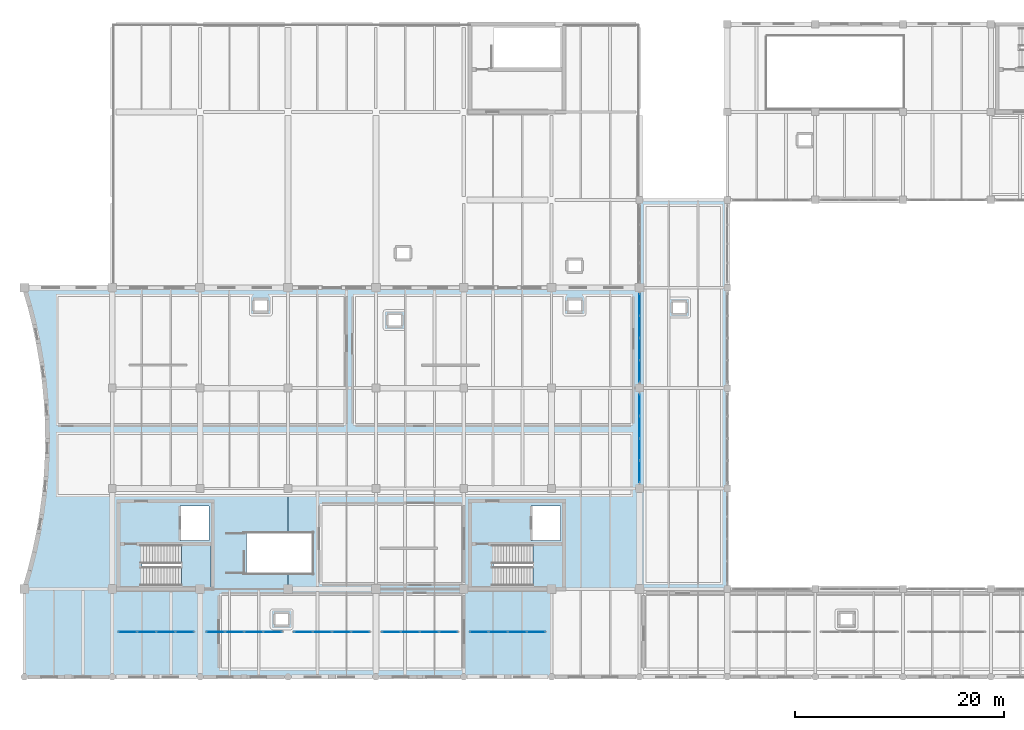
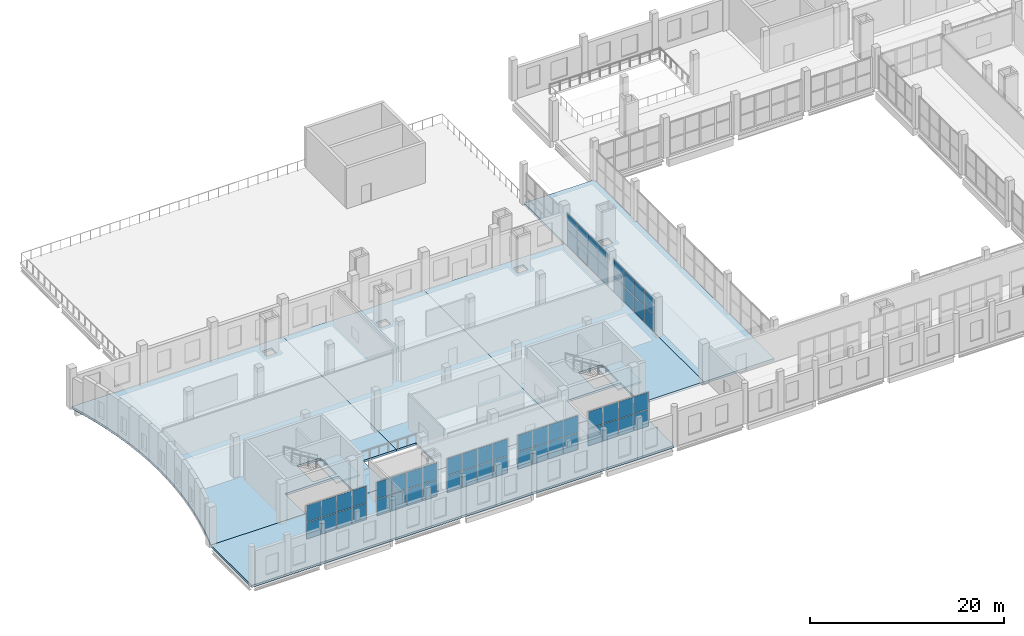
# One storey, part 48 of 73: 56 plates, 7 slabs, 9 elements without a shape of their own.
"""IFC4 building model written with IfcOpenShell, lengths in metres."""

from ifc_helpers import new_model, si_unit, direction, frame, origin, origin_2d, place, context, subcontext, project, spatial, polyline, rectangle, outline, extrude, material, layer, layer_set, type_object, element, aggregate, save


model = new_model("IFC4")

# Units and contexts
model_context = context("Model", 3, precision=1e-05, world=origin(), true_north=direction((0.0, 1.0)))
body_context = subcontext(model_context, "Body", "Model", "MODEL_VIEW")
ifc_project = project(units=[si_unit("LENGTHUNIT", "METRE"), si_unit("AREAUNIT", "SQUARE_METRE"), si_unit("VOLUMEUNIT", "CUBIC_METRE"), si_unit("PLANEANGLEUNIT", "RADIAN"), si_unit("MASSUNIT", "GRAM", prefix="KILO")], contexts=[model_context])

# Site, building, storey
site_placement = place(None, origin())
site = spatial("IfcSite", under=ifc_project, at=site_placement, CompositionType="ELEMENT")
building_placement = place(site_placement, origin())
building = spatial("IfcBuilding", under=site, at=building_placement, Name="Zulmaris Art Gallery", CompositionType="ELEMENT")
storey_placement = place(building_placement, frame((0.0, 0.0, 10.5)))
storey = spatial("IfcBuildingStorey", under=building, at=storey_placement, Name="L02", CompositionType="ELEMENT", Elevation=10.5)

# Curtain wall, plates
ifc_material_1 = material(Name="Cloister & Court Glazed Curtain Wall", Category="aluminium")
ifc_layer_1 = layer(ifc_material_1, 0.179931640625)
ifc_layer_set_1 = layer_set([ifc_layer_1], Name="Cloister & Court Glazed Curtain Wall")
curtain_wall_type = type_object("IfcCurtainWallType", Name="CW-CW03", PredefinedType="NOTDEFINED", material=ifc_layer_set_1)
curtain_wall_1_placement = place(storey_placement, origin())
curtain_wall_1 = element("IfcCurtainWall", 1, at=curtain_wall_1_placement, inside=storey, type_object=curtain_wall_type, Name="L02 curtain wall 57", PredefinedType="NOTDEFINED")
ifc_material_2 = material(Name="Triple Solar-Control Laminated Glass", Category="glass")
ifc_layer_2 = layer(ifc_material_2, 0.035888671875)
ifc_layer_set_2 = layer_set([ifc_layer_2], Name="Triple Solar-Control Laminated Glass")
plate_type = type_object("IfcPlateType", Name="CWPAN-GLZ", PredefinedType="CURTAIN_PANEL", material=ifc_layer_set_2)
plate_1_placement = place(storey_placement, frame((33.873779296875, 17.5, 0.0751953125), z_axis=(0.0, 0.0, 1.0), x_axis=(1.0, 0.0, 0.0)))
plate_1 = element("IfcPlate", 2, at=plate_1_placement, type_object=plate_type, Name="CW03 panel 1.1", PredefinedType="CURTAIN_PANEL", context=body_context, shape_type="SweptSolid", body=[
    extrude(rectangle(XDim=1.717529296875, YDim=0.031982421875, at=origin_2d()), origin(), (0.0, 0.0, 1.0), 2.072509765625),
])
plate_2_placement = place(storey_placement, frame((33.873779296875, 17.5, 2.22265625), z_axis=(0.0, 0.0, 1.0), x_axis=(1.0, 0.0, 0.0)))
plate_2 = element("IfcPlate", 3, at=plate_2_placement, type_object=plate_type, Name="CW03 panel 1.2", PredefinedType="CURTAIN_PANEL", context=body_context, shape_type="SweptSolid", body=[
    extrude(rectangle(XDim=1.717529296875, YDim=0.031982421875, at=origin_2d()), origin(), (0.0, 0.0, 1.0), 2.072509765625),
])
plate_3_placement = place(storey_placement, frame((35.68505859375, 17.5, 0.0751953125), z_axis=(0.0, 0.0, 1.0), x_axis=(1.0, 0.0, 0.0)))
plate_3 = element("IfcPlate", 4, at=plate_3_placement, type_object=plate_type, Name="CW03 panel 2.1", PredefinedType="CURTAIN_PANEL", context=body_context, shape_type="SweptSolid", body=[
    extrude(rectangle(XDim=1.7548828125, YDim=0.031982421875, at=origin_2d()), origin(), (0.0, 0.0, 1.0), 2.072509765625),
])
plate_4_placement = place(storey_placement, frame((35.68505859375, 17.5, 2.22265625), z_axis=(0.0, 0.0, 1.0), x_axis=(1.0, 0.0, 0.0)))
plate_4 = element("IfcPlate", 5, at=plate_4_placement, type_object=plate_type, Name="CW03 panel 2.2", PredefinedType="CURTAIN_PANEL", context=body_context, shape_type="SweptSolid", body=[
    extrude(rectangle(XDim=1.7548828125, YDim=0.031982421875, at=origin_2d()), origin(), (0.0, 0.0, 1.0), 2.072509765625),
])
plate_5_placement = place(storey_placement, frame((37.514892578125, 17.5, 0.0751953125), z_axis=(0.0, 0.0, 1.0), x_axis=(1.0, 0.0, 0.0)))
plate_5 = element("IfcPlate", 6, at=plate_5_placement, type_object=plate_type, Name="CW03 panel 3.1", PredefinedType="CURTAIN_PANEL", context=body_context, shape_type="SweptSolid", body=[
    extrude(rectangle(XDim=1.7548828125, YDim=0.031982421875, at=origin_2d()), origin(), (0.0, 0.0, 1.0), 2.072509765625),
])
plate_6_placement = place(storey_placement, frame((37.514892578125, 17.5, 2.22265625), z_axis=(0.0, 0.0, 1.0), x_axis=(1.0, 0.0, 0.0)))
plate_6 = element("IfcPlate", 7, at=plate_6_placement, type_object=plate_type, Name="CW03 panel 3.2", PredefinedType="CURTAIN_PANEL", context=body_context, shape_type="SweptSolid", body=[
    extrude(rectangle(XDim=1.7548828125, YDim=0.031982421875, at=origin_2d()), origin(), (0.0, 0.0, 1.0), 2.072509765625),
])
plate_7_placement = place(storey_placement, frame((39.326171875, 17.5, 0.0751953125), z_axis=(0.0, 0.0, 1.0), x_axis=(1.0, 0.0, 0.0)))
plate_7 = element("IfcPlate", 8, at=plate_7_placement, type_object=plate_type, Name="CW03 panel 4.1", PredefinedType="CURTAIN_PANEL", context=body_context, shape_type="SweptSolid", body=[
    extrude(rectangle(XDim=1.717529296875, YDim=0.031982421875, at=origin_2d()), origin(), (0.0, 0.0, 1.0), 2.072509765625),
])
plate_8_placement = place(storey_placement, frame((39.326171875, 17.5, 2.22265625), z_axis=(0.0, 0.0, 1.0), x_axis=(1.0, 0.0, 0.0)))
plate_8 = element("IfcPlate", 9, at=plate_8_placement, type_object=plate_type, Name="CW03 panel 4.2", PredefinedType="CURTAIN_PANEL", context=body_context, shape_type="SweptSolid", body=[
    extrude(rectangle(XDim=1.717529296875, YDim=0.031982421875, at=origin_2d()), origin(), (0.0, 0.0, 1.0), 2.072509765625),
])
aggregate(curtain_wall_1, [plate_1, plate_2, plate_3, plate_4, plate_5, plate_6, plate_7, plate_8])

curtain_wall_2_placement = place(storey_placement, origin())
curtain_wall_2 = element("IfcCurtainWall", 10, at=curtain_wall_2_placement, inside=storey, type_object=curtain_wall_type, Name="L02 curtain wall 58", PredefinedType="NOTDEFINED")
plate_9_placement = place(storey_placement, frame((42.273681640625, 17.5, 0.0751953125), z_axis=(0.0, 0.0, 1.0), x_axis=(1.0, 0.0, 0.0)))
plate_9 = element("IfcPlate", 11, at=plate_9_placement, type_object=plate_type, Name="CW03 panel 1.1", PredefinedType="CURTAIN_PANEL", context=body_context, shape_type="SweptSolid", body=[
    extrude(rectangle(XDim=1.717529296875, YDim=0.031982421875, at=origin_2d()), origin(), (0.0, 0.0, 1.0), 2.072509765625),
])
plate_10_placement = place(storey_placement, frame((42.273681640625, 17.5, 2.22265625), z_axis=(0.0, 0.0, 1.0), x_axis=(1.0, 0.0, 0.0)))
plate_10 = element("IfcPlate", 12, at=plate_10_placement, type_object=plate_type, Name="CW03 panel 1.2", PredefinedType="CURTAIN_PANEL", context=body_context, shape_type="SweptSolid", body=[
    extrude(rectangle(XDim=1.717529296875, YDim=0.031982421875, at=origin_2d()), origin(), (0.0, 0.0, 1.0), 2.072509765625),
])
plate_11_placement = place(storey_placement, frame((44.0849609375, 17.5, 0.0751953125), z_axis=(0.0, 0.0, 1.0), x_axis=(1.0, 0.0, 0.0)))
plate_11 = element("IfcPlate", 13, at=plate_11_placement, type_object=plate_type, Name="CW03 panel 2.1", PredefinedType="CURTAIN_PANEL", context=body_context, shape_type="SweptSolid", body=[
    extrude(rectangle(XDim=1.7548828125, YDim=0.031982421875, at=origin_2d()), origin(), (0.0, 0.0, 1.0), 2.072509765625),
])
plate_12_placement = place(storey_placement, frame((44.0849609375, 17.5, 2.22265625), z_axis=(0.0, 0.0, 1.0), x_axis=(1.0, 0.0, 0.0)))
plate_12 = element("IfcPlate", 14, at=plate_12_placement, type_object=plate_type, Name="CW03 panel 2.2", PredefinedType="CURTAIN_PANEL", context=body_context, shape_type="SweptSolid", body=[
    extrude(rectangle(XDim=1.7548828125, YDim=0.031982421875, at=origin_2d()), origin(), (0.0, 0.0, 1.0), 2.072509765625),
])
plate_13_placement = place(storey_placement, frame((45.9150390625, 17.5, 0.0751953125), z_axis=(0.0, 0.0, 1.0), x_axis=(1.0, 0.0, 0.0)))
plate_13 = element("IfcPlate", 15, at=plate_13_placement, type_object=plate_type, Name="CW03 panel 3.1", PredefinedType="CURTAIN_PANEL", context=body_context, shape_type="SweptSolid", body=[
    extrude(rectangle(XDim=1.7548828125, YDim=0.031982421875, at=origin_2d()), origin(), (0.0, 0.0, 1.0), 2.072509765625),
])
plate_14_placement = place(storey_placement, frame((45.9150390625, 17.5, 2.22265625), z_axis=(0.0, 0.0, 1.0), x_axis=(1.0, 0.0, 0.0)))
plate_14 = element("IfcPlate", 16, at=plate_14_placement, type_object=plate_type, Name="CW03 panel 3.2", PredefinedType="CURTAIN_PANEL", context=body_context, shape_type="SweptSolid", body=[
    extrude(rectangle(XDim=1.7548828125, YDim=0.031982421875, at=origin_2d()), origin(), (0.0, 0.0, 1.0), 2.072509765625),
])
plate_15_placement = place(storey_placement, frame((47.726318359375, 17.5, 0.0751953125), z_axis=(0.0, 0.0, 1.0), x_axis=(1.0, 0.0, 0.0)))
plate_15 = element("IfcPlate", 17, at=plate_15_placement, type_object=plate_type, Name="CW03 panel 4.1", PredefinedType="CURTAIN_PANEL", context=body_context, shape_type="SweptSolid", body=[
    extrude(rectangle(XDim=1.717529296875, YDim=0.031982421875, at=origin_2d()), origin(), (0.0, 0.0, 1.0), 2.072509765625),
])
plate_16_placement = place(storey_placement, frame((47.726318359375, 17.5, 2.22265625), z_axis=(0.0, 0.0, 1.0), x_axis=(1.0, 0.0, 0.0)))
plate_16 = element("IfcPlate", 18, at=plate_16_placement, type_object=plate_type, Name="CW03 panel 4.2", PredefinedType="CURTAIN_PANEL", context=body_context, shape_type="SweptSolid", body=[
    extrude(rectangle(XDim=1.717529296875, YDim=0.031982421875, at=origin_2d()), origin(), (0.0, 0.0, 1.0), 2.072509765625),
])
aggregate(curtain_wall_2, [plate_9, plate_10, plate_11, plate_12, plate_13, plate_14, plate_15, plate_16])

curtain_wall_3_placement = place(storey_placement, origin())
curtain_wall_3 = element("IfcCurtainWall", 19, at=curtain_wall_3_placement, inside=storey, type_object=curtain_wall_type, Name="L02 curtain wall 59", PredefinedType="NOTDEFINED")
plate_17_placement = place(storey_placement, frame((50.673828125, 17.5, 0.074951171875), z_axis=(0.0, 0.0, 1.0), x_axis=(1.0, 0.0, 0.0)))
plate_17 = element("IfcPlate", 20, at=plate_17_placement, type_object=plate_type, Name="CW03 panel 1.1", PredefinedType="CURTAIN_PANEL", context=body_context, shape_type="SweptSolid", body=[
    extrude(rectangle(XDim=1.717529296875, YDim=0.031982421875, at=origin_2d()), origin(), (0.0, 0.0, 1.0), 2.1025390625),
])
plate_18_placement = place(storey_placement, frame((50.673828125, 17.5, 2.25244140625), z_axis=(0.0, 0.0, 1.0), x_axis=(1.0, 0.0, 0.0)))
plate_18 = element("IfcPlate", 21, at=plate_18_placement, type_object=plate_type, Name="CW03 panel 1.2", PredefinedType="CURTAIN_PANEL", context=body_context, shape_type="SweptSolid", body=[
    extrude(rectangle(XDim=1.717529296875, YDim=0.031982421875, at=origin_2d()), origin(), (0.0, 0.0, 1.0), 2.1025390625),
])
plate_19_placement = place(storey_placement, frame((52.485107421875, 17.5, 0.074951171875), z_axis=(0.0, 0.0, 1.0), x_axis=(1.0, 0.0, 0.0)))
plate_19 = element("IfcPlate", 22, at=plate_19_placement, type_object=plate_type, Name="CW03 panel 2.1", PredefinedType="CURTAIN_PANEL", context=body_context, shape_type="SweptSolid", body=[
    extrude(rectangle(XDim=1.7548828125, YDim=0.031982421875, at=origin_2d()), origin(), (0.0, 0.0, 1.0), 2.1025390625),
])
plate_20_placement = place(storey_placement, frame((52.485107421875, 17.5, 2.25244140625), z_axis=(0.0, 0.0, 1.0), x_axis=(1.0, 0.0, 0.0)))
plate_20 = element("IfcPlate", 23, at=plate_20_placement, type_object=plate_type, Name="CW03 panel 2.2", PredefinedType="CURTAIN_PANEL", context=body_context, shape_type="SweptSolid", body=[
    extrude(rectangle(XDim=1.7548828125, YDim=0.031982421875, at=origin_2d()), origin(), (0.0, 0.0, 1.0), 2.1025390625),
])
plate_21_placement = place(storey_placement, frame((54.31494140625, 17.5, 0.074951171875), z_axis=(0.0, 0.0, 1.0), x_axis=(1.0, 0.0, 0.0)))
plate_21 = element("IfcPlate", 24, at=plate_21_placement, type_object=plate_type, Name="CW03 panel 3.1", PredefinedType="CURTAIN_PANEL", context=body_context, shape_type="SweptSolid", body=[
    extrude(rectangle(XDim=1.7548828125, YDim=0.031982421875, at=origin_2d()), origin(), (0.0, 0.0, 1.0), 2.1025390625),
])
plate_22_placement = place(storey_placement, frame((54.31494140625, 17.5, 2.25244140625), z_axis=(0.0, 0.0, 1.0), x_axis=(1.0, 0.0, 0.0)))
plate_22 = element("IfcPlate", 25, at=plate_22_placement, type_object=plate_type, Name="CW03 panel 3.2", PredefinedType="CURTAIN_PANEL", context=body_context, shape_type="SweptSolid", body=[
    extrude(rectangle(XDim=1.7548828125, YDim=0.031982421875, at=origin_2d()), origin(), (0.0, 0.0, 1.0), 2.1025390625),
])
plate_23_placement = place(storey_placement, frame((56.126220703125, 17.5, 0.074951171875), z_axis=(0.0, 0.0, 1.0), x_axis=(1.0, 0.0, 0.0)))
plate_23 = element("IfcPlate", 26, at=plate_23_placement, type_object=plate_type, Name="CW03 panel 4.1", PredefinedType="CURTAIN_PANEL", context=body_context, shape_type="SweptSolid", body=[
    extrude(rectangle(XDim=1.717529296875, YDim=0.031982421875, at=origin_2d()), origin(), (0.0, 0.0, 1.0), 2.1025390625),
])
plate_24_placement = place(storey_placement, frame((56.126220703125, 17.5, 2.25244140625), z_axis=(0.0, 0.0, 1.0), x_axis=(1.0, 0.0, 0.0)))
plate_24 = element("IfcPlate", 27, at=plate_24_placement, type_object=plate_type, Name="CW03 panel 4.2", PredefinedType="CURTAIN_PANEL", context=body_context, shape_type="SweptSolid", body=[
    extrude(rectangle(XDim=1.717529296875, YDim=0.031982421875, at=origin_2d()), origin(), (0.0, 0.0, 1.0), 2.1025390625),
])
aggregate(curtain_wall_3, [plate_17, plate_18, plate_19, plate_20, plate_21, plate_22, plate_23, plate_24])

curtain_wall_4_placement = place(storey_placement, origin())
curtain_wall_4 = element("IfcCurtainWall", 28, at=curtain_wall_4_placement, inside=storey, type_object=curtain_wall_type, Name="L02 curtain wall 60", PredefinedType="NOTDEFINED")
plate_25_placement = place(storey_placement, frame((59.07373046875, 17.5, 0.074951171875), z_axis=(0.0, 0.0, 1.0), x_axis=(1.0, 0.0, 0.0)))
plate_25 = element("IfcPlate", 29, at=plate_25_placement, type_object=plate_type, Name="CW03 panel 1.1", PredefinedType="CURTAIN_PANEL", context=body_context, shape_type="SweptSolid", body=[
    extrude(rectangle(XDim=1.717529296875, YDim=0.031982421875, at=origin_2d()), origin(), (0.0, 0.0, 1.0), 2.1025390625),
])
plate_26_placement = place(storey_placement, frame((59.07373046875, 17.5, 2.25244140625), z_axis=(0.0, 0.0, 1.0), x_axis=(1.0, 0.0, 0.0)))
plate_26 = element("IfcPlate", 30, at=plate_26_placement, type_object=plate_type, Name="CW03 panel 1.2", PredefinedType="CURTAIN_PANEL", context=body_context, shape_type="SweptSolid", body=[
    extrude(rectangle(XDim=1.717529296875, YDim=0.031982421875, at=origin_2d()), origin(), (0.0, 0.0, 1.0), 2.1025390625),
])
plate_27_placement = place(storey_placement, frame((60.885009765625, 17.5, 0.074951171875), z_axis=(0.0, 0.0, 1.0), x_axis=(1.0, 0.0, 0.0)))
plate_27 = element("IfcPlate", 31, at=plate_27_placement, type_object=plate_type, Name="CW03 panel 2.1", PredefinedType="CURTAIN_PANEL", context=body_context, shape_type="SweptSolid", body=[
    extrude(rectangle(XDim=1.7548828125, YDim=0.031982421875, at=origin_2d()), origin(), (0.0, 0.0, 1.0), 2.1025390625),
])
plate_28_placement = place(storey_placement, frame((60.885009765625, 17.5, 2.25244140625), z_axis=(0.0, 0.0, 1.0), x_axis=(1.0, 0.0, 0.0)))
plate_28 = element("IfcPlate", 32, at=plate_28_placement, type_object=plate_type, Name="CW03 panel 2.2", PredefinedType="CURTAIN_PANEL", context=body_context, shape_type="SweptSolid", body=[
    extrude(rectangle(XDim=1.7548828125, YDim=0.031982421875, at=origin_2d()), origin(), (0.0, 0.0, 1.0), 2.1025390625),
])
plate_29_placement = place(storey_placement, frame((62.715087890625, 17.5, 0.074951171875), z_axis=(0.0, 0.0, 1.0), x_axis=(1.0, 0.0, 0.0)))
plate_29 = element("IfcPlate", 33, at=plate_29_placement, type_object=plate_type, Name="CW03 panel 3.1", PredefinedType="CURTAIN_PANEL", context=body_context, shape_type="SweptSolid", body=[
    extrude(rectangle(XDim=1.7548828125, YDim=0.031982421875, at=origin_2d()), origin(), (0.0, 0.0, 1.0), 2.1025390625),
])
plate_30_placement = place(storey_placement, frame((62.715087890625, 17.5, 2.25244140625), z_axis=(0.0, 0.0, 1.0), x_axis=(1.0, 0.0, 0.0)))
plate_30 = element("IfcPlate", 34, at=plate_30_placement, type_object=plate_type, Name="CW03 panel 3.2", PredefinedType="CURTAIN_PANEL", context=body_context, shape_type="SweptSolid", body=[
    extrude(rectangle(XDim=1.7548828125, YDim=0.031982421875, at=origin_2d()), origin(), (0.0, 0.0, 1.0), 2.1025390625),
])
plate_31_placement = place(storey_placement, frame((64.5263671875, 17.5, 0.074951171875), z_axis=(0.0, 0.0, 1.0), x_axis=(1.0, 0.0, 0.0)))
plate_31 = element("IfcPlate", 35, at=plate_31_placement, type_object=plate_type, Name="CW03 panel 4.1", PredefinedType="CURTAIN_PANEL", context=body_context, shape_type="SweptSolid", body=[
    extrude(rectangle(XDim=1.717529296875, YDim=0.031982421875, at=origin_2d()), origin(), (0.0, 0.0, 1.0), 2.1025390625),
])
plate_32_placement = place(storey_placement, frame((64.5263671875, 17.5, 2.25244140625), z_axis=(0.0, 0.0, 1.0), x_axis=(1.0, 0.0, 0.0)))
plate_32 = element("IfcPlate", 36, at=plate_32_placement, type_object=plate_type, Name="CW03 panel 4.2", PredefinedType="CURTAIN_PANEL", context=body_context, shape_type="SweptSolid", body=[
    extrude(rectangle(XDim=1.717529296875, YDim=0.031982421875, at=origin_2d()), origin(), (0.0, 0.0, 1.0), 2.1025390625),
])
aggregate(curtain_wall_4, [plate_25, plate_26, plate_27, plate_28, plate_29, plate_30, plate_31, plate_32])

curtain_wall_5_placement = place(storey_placement, origin())
curtain_wall_5 = element("IfcCurtainWall", 37, at=curtain_wall_5_placement, inside=storey, type_object=curtain_wall_type, Name="L02 curtain wall 61", PredefinedType="NOTDEFINED")
plate_33_placement = place(storey_placement, frame((67.4736328125, 17.5, 0.074951171875), z_axis=(0.0, 0.0, 1.0), x_axis=(1.0, 0.0, 0.0)))
plate_33 = element("IfcPlate", 38, at=plate_33_placement, type_object=plate_type, Name="CW03 panel 1.1", PredefinedType="CURTAIN_PANEL", context=body_context, shape_type="SweptSolid", body=[
    extrude(rectangle(XDim=1.717529296875, YDim=0.031982421875, at=origin_2d()), origin(), (0.0, 0.0, 1.0), 2.1025390625),
])
plate_34_placement = place(storey_placement, frame((67.4736328125, 17.5, 2.25244140625), z_axis=(0.0, 0.0, 1.0), x_axis=(1.0, 0.0, 0.0)))
plate_34 = element("IfcPlate", 39, at=plate_34_placement, type_object=plate_type, Name="CW03 panel 1.2", PredefinedType="CURTAIN_PANEL", context=body_context, shape_type="SweptSolid", body=[
    extrude(rectangle(XDim=1.717529296875, YDim=0.031982421875, at=origin_2d()), origin(), (0.0, 0.0, 1.0), 2.1025390625),
])
plate_35_placement = place(storey_placement, frame((69.284912109375, 17.5, 0.074951171875), z_axis=(0.0, 0.0, 1.0), x_axis=(1.0, 0.0, 0.0)))
plate_35 = element("IfcPlate", 40, at=plate_35_placement, type_object=plate_type, Name="CW03 panel 2.1", PredefinedType="CURTAIN_PANEL", context=body_context, shape_type="SweptSolid", body=[
    extrude(rectangle(XDim=1.7548828125, YDim=0.031982421875, at=origin_2d()), origin(), (0.0, 0.0, 1.0), 2.1025390625),
])
plate_36_placement = place(storey_placement, frame((69.284912109375, 17.5, 2.25244140625), z_axis=(0.0, 0.0, 1.0), x_axis=(1.0, 0.0, 0.0)))
plate_36 = element("IfcPlate", 41, at=plate_36_placement, type_object=plate_type, Name="CW03 panel 2.2", PredefinedType="CURTAIN_PANEL", context=body_context, shape_type="SweptSolid", body=[
    extrude(rectangle(XDim=1.7548828125, YDim=0.031982421875, at=origin_2d()), origin(), (0.0, 0.0, 1.0), 2.1025390625),
])
plate_37_placement = place(storey_placement, frame((71.114990234375, 17.5, 0.074951171875), z_axis=(0.0, 0.0, 1.0), x_axis=(1.0, 0.0, 0.0)))
plate_37 = element("IfcPlate", 42, at=plate_37_placement, type_object=plate_type, Name="CW03 panel 3.1", PredefinedType="CURTAIN_PANEL", context=body_context, shape_type="SweptSolid", body=[
    extrude(rectangle(XDim=1.7548828125, YDim=0.031982421875, at=origin_2d()), origin(), (0.0, 0.0, 1.0), 2.1025390625),
])
plate_38_placement = place(storey_placement, frame((71.114990234375, 17.5, 2.25244140625), z_axis=(0.0, 0.0, 1.0), x_axis=(1.0, 0.0, 0.0)))
plate_38 = element("IfcPlate", 43, at=plate_38_placement, type_object=plate_type, Name="CW03 panel 3.2", PredefinedType="CURTAIN_PANEL", context=body_context, shape_type="SweptSolid", body=[
    extrude(rectangle(XDim=1.7548828125, YDim=0.031982421875, at=origin_2d()), origin(), (0.0, 0.0, 1.0), 2.1025390625),
])
plate_39_placement = place(storey_placement, frame((72.92626953125, 17.5, 0.074951171875), z_axis=(0.0, 0.0, 1.0), x_axis=(1.0, 0.0, 0.0)))
plate_39 = element("IfcPlate", 44, at=plate_39_placement, type_object=plate_type, Name="CW03 panel 4.1", PredefinedType="CURTAIN_PANEL", context=body_context, shape_type="SweptSolid", body=[
    extrude(rectangle(XDim=1.717529296875, YDim=0.031982421875, at=origin_2d()), origin(), (0.0, 0.0, 1.0), 2.1025390625),
])
plate_40_placement = place(storey_placement, frame((72.92626953125, 17.5, 2.25244140625), z_axis=(0.0, 0.0, 1.0), x_axis=(1.0, 0.0, 0.0)))
plate_40 = element("IfcPlate", 45, at=plate_40_placement, type_object=plate_type, Name="CW03 panel 4.2", PredefinedType="CURTAIN_PANEL", context=body_context, shape_type="SweptSolid", body=[
    extrude(rectangle(XDim=1.717529296875, YDim=0.031982421875, at=origin_2d()), origin(), (0.0, 0.0, 1.0), 2.1025390625),
])
aggregate(curtain_wall_5, [plate_33, plate_34, plate_35, plate_36, plate_37, plate_38, plate_39, plate_40])

curtain_wall_6_placement = place(storey_placement, origin())
curtain_wall_6 = element("IfcCurtainWall", 46, at=curtain_wall_6_placement, inside=storey, type_object=curtain_wall_type, Name="L02 curtain wall 79", PredefinedType="NOTDEFINED")
plate_41_placement = place(storey_placement, frame((82.800048828125, 32.82373046875, 0.074951171875), z_axis=(0.0, 0.0, 1.0), x_axis=(0.0, 1.0, 0.0)))
plate_41 = element("IfcPlate", 47, at=plate_41_placement, type_object=plate_type, Name="CW03 panel 1.1", PredefinedType="CURTAIN_PANEL", context=body_context, shape_type="SweptSolid", body=[
    extrude(rectangle(XDim=2.017578125, YDim=0.031982421875, at=origin_2d()), origin(), (0.0, 0.0, 1.0), 2.00244140625),
])
plate_42_placement = place(storey_placement, frame((82.800048828125, 32.82373046875, 2.152587890625), z_axis=(0.0, 0.0, 1.0), x_axis=(0.0, 1.0, 0.0)))
plate_42 = element("IfcPlate", 48, at=plate_42_placement, type_object=plate_type, Name="CW03 panel 1.2", PredefinedType="CURTAIN_PANEL", context=body_context, shape_type="SweptSolid", body=[
    extrude(rectangle(XDim=2.017578125, YDim=0.031982421875, at=origin_2d()), origin(), (0.0, 0.0, 1.0), 2.00244140625),
])
plate_43_placement = place(storey_placement, frame((82.800048828125, 34.93505859375, 0.074951171875), z_axis=(0.0, 0.0, 1.0), x_axis=(0.0, 1.0, 0.0)))
plate_43 = element("IfcPlate", 49, at=plate_43_placement, type_object=plate_type, Name="CW03 panel 2.1", PredefinedType="CURTAIN_PANEL", context=body_context, shape_type="SweptSolid", body=[
    extrude(rectangle(XDim=2.054931640625, YDim=0.031982421875, at=origin_2d()), origin(), (0.0, 0.0, 1.0), 2.00244140625),
])
plate_44_placement = place(storey_placement, frame((82.800048828125, 34.93505859375, 2.152587890625), z_axis=(0.0, 0.0, 1.0), x_axis=(0.0, 1.0, 0.0)))
plate_44 = element("IfcPlate", 50, at=plate_44_placement, type_object=plate_type, Name="CW03 panel 2.2", PredefinedType="CURTAIN_PANEL", context=body_context, shape_type="SweptSolid", body=[
    extrude(rectangle(XDim=2.054931640625, YDim=0.031982421875, at=origin_2d()), origin(), (0.0, 0.0, 1.0), 2.00244140625),
])
plate_45_placement = place(storey_placement, frame((82.800048828125, 37.06494140625, 0.074951171875), z_axis=(0.0, 0.0, 1.0), x_axis=(0.0, 1.0, 0.0)))
plate_45 = element("IfcPlate", 51, at=plate_45_placement, type_object=plate_type, Name="CW03 panel 3.1", PredefinedType="CURTAIN_PANEL", context=body_context, shape_type="SweptSolid", body=[
    extrude(rectangle(XDim=2.054931640625, YDim=0.031982421875, at=origin_2d()), origin(), (0.0, 0.0, 1.0), 2.00244140625),
])
plate_46_placement = place(storey_placement, frame((82.800048828125, 37.06494140625, 2.152587890625), z_axis=(0.0, 0.0, 1.0), x_axis=(0.0, 1.0, 0.0)))
plate_46 = element("IfcPlate", 52, at=plate_46_placement, type_object=plate_type, Name="CW03 panel 3.2", PredefinedType="CURTAIN_PANEL", context=body_context, shape_type="SweptSolid", body=[
    extrude(rectangle(XDim=2.054931640625, YDim=0.031982421875, at=origin_2d()), origin(), (0.0, 0.0, 1.0), 2.00244140625),
])
plate_47_placement = place(storey_placement, frame((82.800048828125, 39.17626953125, 0.074951171875), z_axis=(0.0, 0.0, 1.0), x_axis=(0.0, 1.0, 0.0)))
plate_47 = element("IfcPlate", 53, at=plate_47_placement, type_object=plate_type, Name="CW03 panel 4.1", PredefinedType="CURTAIN_PANEL", context=body_context, shape_type="SweptSolid", body=[
    extrude(rectangle(XDim=2.017578125, YDim=0.031982421875, at=origin_2d()), origin(), (0.0, 0.0, 1.0), 2.00244140625),
])
plate_48_placement = place(storey_placement, frame((82.800048828125, 39.17626953125, 2.152587890625), z_axis=(0.0, 0.0, 1.0), x_axis=(0.0, 1.0, 0.0)))
plate_48 = element("IfcPlate", 54, at=plate_48_placement, type_object=plate_type, Name="CW03 panel 4.2", PredefinedType="CURTAIN_PANEL", context=body_context, shape_type="SweptSolid", body=[
    extrude(rectangle(XDim=2.017578125, YDim=0.031982421875, at=origin_2d()), origin(), (0.0, 0.0, 1.0), 2.00244140625),
])
aggregate(curtain_wall_6, [plate_41, plate_42, plate_43, plate_44, plate_45, plate_46, plate_47, plate_48])

curtain_wall_7_placement = place(storey_placement, origin())
curtain_wall_7 = element("IfcCurtainWall", 55, at=curtain_wall_7_placement, inside=storey, type_object=curtain_wall_type, Name="L02 curtain wall 81", PredefinedType="NOTDEFINED")
plate_49_placement = place(storey_placement, frame((82.800048828125, 42.423828125, 0.0751953125), z_axis=(0.0, 0.0, 1.0), x_axis=(0.0, 1.0, 0.0)))
plate_49 = element("IfcPlate", 56, at=plate_49_placement, type_object=plate_type, Name="CW03 panel 1.1", PredefinedType="CURTAIN_PANEL", context=body_context, shape_type="SweptSolid", body=[
    extrude(rectangle(XDim=2.017578125, YDim=0.031982421875, at=origin_2d()), origin(), (0.0, 0.0, 1.0), 1.992431640625),
])
plate_50_placement = place(storey_placement, frame((82.800048828125, 42.423828125, 2.142578125), z_axis=(0.0, 0.0, 1.0), x_axis=(0.0, 1.0, 0.0)))
plate_50 = element("IfcPlate", 57, at=plate_50_placement, type_object=plate_type, Name="CW03 panel 1.2", PredefinedType="CURTAIN_PANEL", context=body_context, shape_type="SweptSolid", body=[
    extrude(rectangle(XDim=2.017578125, YDim=0.031982421875, at=origin_2d()), origin(), (0.0, 0.0, 1.0), 1.992431640625),
])
plate_51_placement = place(storey_placement, frame((82.800048828125, 44.534912109375, 0.0751953125), z_axis=(0.0, 0.0, 1.0), x_axis=(0.0, 1.0, 0.0)))
plate_51 = element("IfcPlate", 58, at=plate_51_placement, type_object=plate_type, Name="CW03 panel 2.1", PredefinedType="CURTAIN_PANEL", context=body_context, shape_type="SweptSolid", body=[
    extrude(rectangle(XDim=2.054931640625, YDim=0.031982421875, at=origin_2d()), origin(), (0.0, 0.0, 1.0), 1.992431640625),
])
plate_52_placement = place(storey_placement, frame((82.800048828125, 44.534912109375, 2.142578125), z_axis=(0.0, 0.0, 1.0), x_axis=(0.0, 1.0, 0.0)))
plate_52 = element("IfcPlate", 59, at=plate_52_placement, type_object=plate_type, Name="CW03 panel 2.2", PredefinedType="CURTAIN_PANEL", context=body_context, shape_type="SweptSolid", body=[
    extrude(rectangle(XDim=2.054931640625, YDim=0.031982421875, at=origin_2d()), origin(), (0.0, 0.0, 1.0), 1.992431640625),
])
plate_53_placement = place(storey_placement, frame((82.800048828125, 46.6650390625, 0.0751953125), z_axis=(0.0, 0.0, 1.0), x_axis=(0.0, 1.0, 0.0)))
plate_53 = element("IfcPlate", 60, at=plate_53_placement, type_object=plate_type, Name="CW03 panel 3.1", PredefinedType="CURTAIN_PANEL", context=body_context, shape_type="SweptSolid", body=[
    extrude(rectangle(XDim=2.054931640625, YDim=0.031982421875, at=origin_2d()), origin(), (0.0, 0.0, 1.0), 1.992431640625),
])
plate_54_placement = place(storey_placement, frame((82.800048828125, 46.6650390625, 2.142578125), z_axis=(0.0, 0.0, 1.0), x_axis=(0.0, 1.0, 0.0)))
plate_54 = element("IfcPlate", 61, at=plate_54_placement, type_object=plate_type, Name="CW03 panel 3.2", PredefinedType="CURTAIN_PANEL", context=body_context, shape_type="SweptSolid", body=[
    extrude(rectangle(XDim=2.054931640625, YDim=0.031982421875, at=origin_2d()), origin(), (0.0, 0.0, 1.0), 1.992431640625),
])
plate_55_placement = place(storey_placement, frame((82.800048828125, 48.7763671875, 0.0751953125), z_axis=(0.0, 0.0, 1.0), x_axis=(0.0, 1.0, 0.0)))
plate_55 = element("IfcPlate", 62, at=plate_55_placement, type_object=plate_type, Name="CW03 panel 4.1", PredefinedType="CURTAIN_PANEL", context=body_context, shape_type="SweptSolid", body=[
    extrude(rectangle(XDim=2.017578125, YDim=0.031982421875, at=origin_2d()), origin(), (0.0, 0.0, 1.0), 1.992431640625),
])
plate_56_placement = place(storey_placement, frame((82.800048828125, 48.7763671875, 2.142578125), z_axis=(0.0, 0.0, 1.0), x_axis=(0.0, 1.0, 0.0)))
plate_56 = element("IfcPlate", 63, at=plate_56_placement, type_object=plate_type, Name="CW03 panel 4.2", PredefinedType="CURTAIN_PANEL", context=body_context, shape_type="SweptSolid", body=[
    extrude(rectangle(XDim=2.017578125, YDim=0.031982421875, at=origin_2d()), origin(), (0.0, 0.0, 1.0), 1.992431640625),
])
aggregate(curtain_wall_7, [plate_49, plate_50, plate_51, plate_52, plate_53, plate_54, plate_55, plate_56])

# Slabs
ifc_material_3 = material(Name="Concrete C40/50", Category="concrete")
ifc_layer_3 = layer(ifc_material_3, 0.27001953125)
ifc_layer_set_3 = layer_set([ifc_layer_3], Name="Concrete C40/50")
slab_type_1 = type_object("IfcSlabType", Name="SLAB-SL-FL06", PredefinedType="FLOOR", material=ifc_layer_set_3)
slab_1_placement = place(storey_placement, frame((0.0, 0.0, -0.27001953125)))
element("IfcSlab", 64, at=slab_1_placement, inside=storey, type_object=slab_type_1, Name="L02 V1-W slab", PredefinedType="FLOOR", context=body_context, shape_type="SweptSolid", body=[
    extrude(outline(polyline([(24.51513671875, 23.35400390625), (24.963134765625, 25.126220703125), (25.34326171875, 26.914306640625), (25.655029296875, 28.715576171875), (25.89794921875, 30.527587890625), (26.07177734375, 32.34716796875), (26.176025390625, 34.17236328125), (26.2109375, 36.0), (26.176025390625, 37.82763671875), (26.07177734375, 39.65283203125), (25.89794921875, 41.472412109375), (25.655029296875, 43.284423828125), (25.34326171875, 45.085693359375), (24.963134765625, 46.873779296875), (24.51513671875, 48.64599609375), (24.0, 50.39990234375), (49.199951171875, 50.39990234375), (49.199951171875, 26.93994140625), (45.2099609375, 26.93994140625), (45.2099609375, 23.10009765625), (49.199951171875, 23.10009765625), (49.199951171875, 21.60009765625), (24.0, 21.60009765625), (24.51513671875, 23.35400390625)]), holes=[polyline([(35.260009765625, 21.949951171875), (41.64990234375, 21.949951171875), (41.64990234375, 25.7900390625), (35.260009765625, 25.7900390625), (35.260009765625, 21.949951171875)]), polyline([(41.64990234375, 26.219970703125), (41.64990234375, 29.550048828125), (38.85009765625, 29.550048828125), (38.85009765625, 26.219970703125), (41.64990234375, 26.219970703125)]), polyline([(47.199951171875, 48.199951171875), (47.199951171875, 49.199951171875), (46.0, 49.199951171875), (46.0, 48.199951171875), (47.199951171875, 48.199951171875)])]), origin(), (0.0, 0.0, 1.0), 0.27001953125),
])
slab_2_placement = place(storey_placement, frame((0.0, 0.0, -0.27001953125)))
element("IfcSlab", 65, at=slab_2_placement, inside=storey, type_object=slab_type_1, Name="L02 V1-M slab", PredefinedType="FLOOR", context=body_context, shape_type="SweptSolid", body=[
    extrude(outline(polyline([(49.199951171875, 50.39990234375), (66.0, 50.39990234375), (66.0, 21.60009765625), (49.199951171875, 21.60009765625), (49.199951171875, 23.10009765625), (51.550048828125, 23.10009765625), (51.550048828125, 26.93994140625), (49.199951171875, 26.93994140625), (49.199951171875, 50.39990234375)]), holes=[polyline([(60.0, 46.800048828125), (60.0, 47.800048828125), (58.800048828125, 47.800048828125), (58.800048828125, 46.800048828125), (60.0, 46.800048828125)])]), origin(), (0.0, 0.0, 1.0), 0.27001953125),
])
slab_3_placement = place(storey_placement, frame((0.0, 0.0, -0.27001953125)))
element("IfcSlab", 66, at=slab_3_placement, inside=storey, type_object=slab_type_1, Name="L02 V1-E slab", PredefinedType="FLOOR", context=body_context, shape_type="SweptSolid", body=[
    extrude(outline(polyline([(66.0, 21.60009765625), (66.0, 50.39990234375), (82.800048828125, 50.39990234375), (82.800048828125, 21.60009765625), (66.0, 21.60009765625)]), holes=[polyline([(68.860107421875, 21.949951171875), (75.25, 21.949951171875), (75.25, 25.7900390625), (68.860107421875, 25.7900390625), (68.860107421875, 21.949951171875)]), polyline([(75.25, 26.219970703125), (75.25, 29.550048828125), (72.449951171875, 29.550048828125), (72.449951171875, 26.219970703125), (75.25, 26.219970703125)]), polyline([(77.199951171875, 48.199951171875), (77.199951171875, 49.199951171875), (76.0, 49.199951171875), (76.0, 48.199951171875), (77.199951171875, 48.199951171875)])]), origin(), (0.0, 0.0, 1.0), 0.27001953125),
])
slab_4_placement = place(storey_placement, frame((0.0, 0.0, -0.27001953125)))
element("IfcSlab", 67, at=slab_4_placement, inside=storey, type_object=slab_type_1, Name="L02 V2-W slab", PredefinedType="FLOOR", context=body_context, shape_type="SweptSolid", body=[
    extrude(outline(polyline([(24.0, 13.199951171875), (24.0, 21.60009765625), (74.39990234375, 21.60009765625), (74.39990234375, 13.199951171875), (24.0, 13.199951171875)]), holes=[polyline([(49.199951171875, 18.199951171875), (49.199951171875, 19.199951171875), (48.0, 19.199951171875), (48.0, 18.199951171875), (49.199951171875, 18.199951171875)])]), origin(), (0.0, 0.0, 1.0), 0.27001953125),
])
slab_5_placement = place(storey_placement, frame((0.0, 0.0, -0.27001953125)))
element("IfcSlab", 68, at=slab_5_placement, inside=storey, type_object=slab_type_1, Name="L02 V2-BR slab", PredefinedType="FLOOR", context=body_context, shape_type="SweptSolid", body=[
    extrude(outline(polyline([(82.800048828125, 21.60009765625), (82.800048828125, 58.800048828125), (91.199951171875, 58.800048828125), (91.199951171875, 21.60009765625), (82.800048828125, 21.60009765625)]), holes=[polyline([(87.199951171875, 48.0), (87.199951171875, 49.0), (86.0, 49.0), (86.0, 48.0), (87.199951171875, 48.0)])]), origin(), (0.0, 0.0, 1.0), 0.27001953125),
])

# Stair, slab
stair_type = type_object("IfcStairType", Name="STAIR-CORE", PredefinedType="HALF_TURN_STAIR", material=ifc_material_3)
stair_1_placement = place(storey_placement, origin())
stair_1 = element("IfcStair", 69, at=stair_1_placement, inside=storey, type_object=stair_type, Name="L02 Exit Stair ST1", PredefinedType="HALF_TURN_STAIR")
ifc_layer_4 = layer(ifc_material_3, 0.2099609375)
ifc_layer_set_4 = layer_set([ifc_layer_4], Name="Concrete C40/50")
slab_type_2 = type_object("IfcSlabType", Name="SLAB-STLND", PredefinedType="LANDING", material=ifc_layer_set_4)
slab_6_placement = place(storey_placement, frame((0.0, 0.0, 2.35009765625)))
slab_6 = element("IfcSlab", 70, at=slab_6_placement, type_object=slab_type_2, Name="ST1 landing 1", PredefinedType="LANDING", context=body_context, shape_type="SweptSolid", body=[
    extrude(outline(polyline([(39.02001953125, 21.72998046875), (41.85009765625, 21.72998046875), (41.85009765625, 26.010009765625), (39.02001953125, 26.010009765625), (39.02001953125, 21.72998046875)])), origin(), (0.0, 0.0, 1.0), 0.199951171875),
])
aggregate(stair_1, [slab_6])

stair_2_placement = place(storey_placement, origin())
stair_2 = element("IfcStair", 71, at=stair_2_placement, inside=storey, type_object=stair_type, Name="L02 Exit Stair ST2", PredefinedType="HALF_TURN_STAIR")
slab_7_placement = place(storey_placement, frame((0.0, 0.0, 2.35009765625)))
slab_7 = element("IfcSlab", 72, at=slab_7_placement, type_object=slab_type_2, Name="ST2 landing 1", PredefinedType="LANDING", context=body_context, shape_type="SweptSolid", body=[
    extrude(outline(polyline([(72.6201171875, 21.72998046875), (75.449951171875, 21.72998046875), (75.449951171875, 26.010009765625), (72.6201171875, 26.010009765625), (72.6201171875, 21.72998046875)])), origin(), (0.0, 0.0, 1.0), 0.199951171875),
])
aggregate(stair_2, [slab_7])

save(model, "model.ifc")
